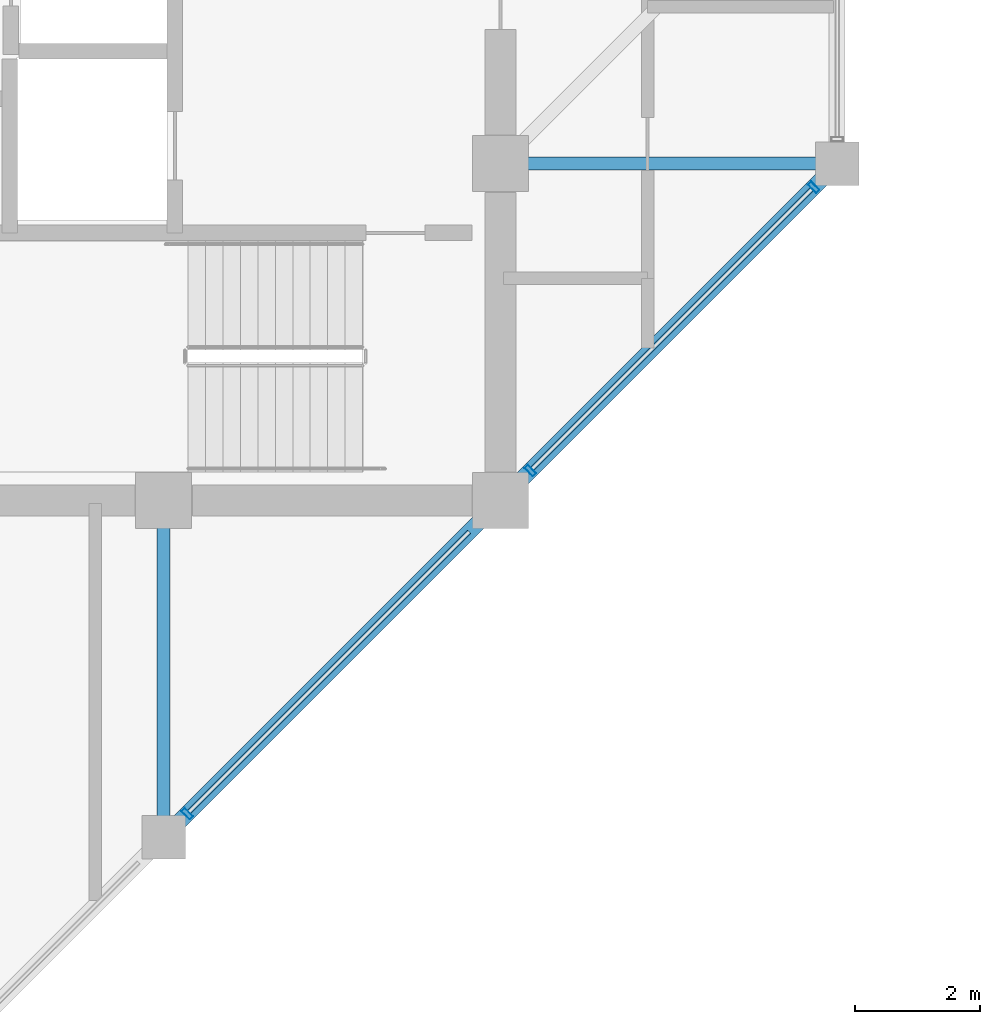
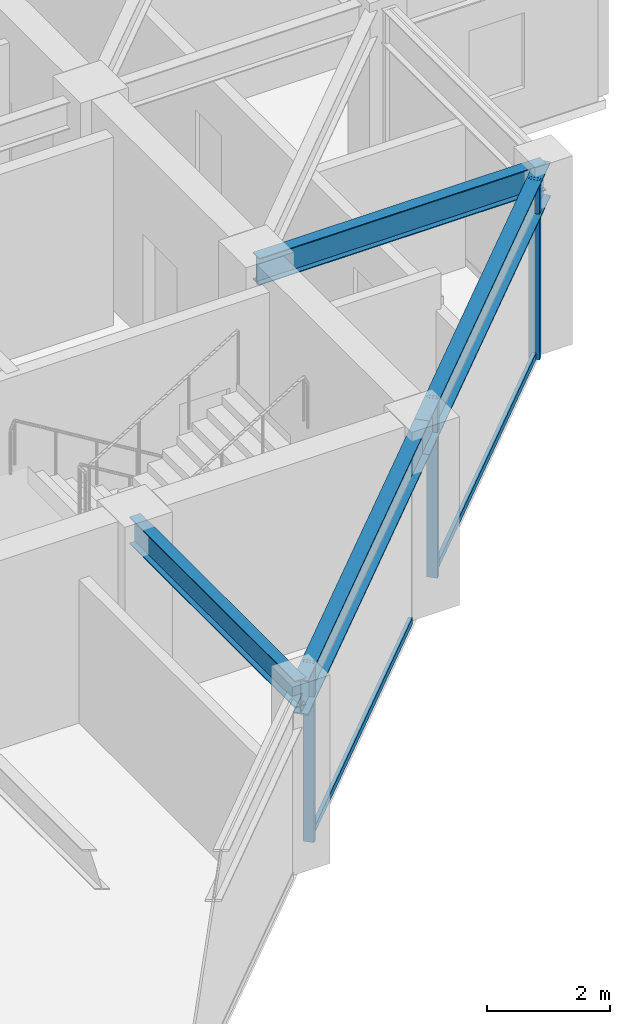
# One storey, part 10 of 30: 5 members, 4 beams, 1 element without a shape of its own.
"""IFC4 building model written with IfcOpenShell, lengths in metres."""

from ifc_helpers import new_model, si_unit, direction, frame, origin, origin_2d, place, context, subcontext, project, spatial, hollow_rectangle, i_section, extrude, material, layer, layer_set, material_profile, profile_set, type_object, element, aggregate, save


model = new_model("IFC4")

# Units and contexts
model_context = context("Model", 3, precision=1e-05, world=origin(), true_north=direction((0.0, 1.0)))
body_context = subcontext(model_context, "Body", "Model", "MODEL_VIEW")
ifc_project = project(units=[si_unit("LENGTHUNIT", "METRE"), si_unit("AREAUNIT", "SQUARE_METRE"), si_unit("VOLUMEUNIT", "CUBIC_METRE"), si_unit("PLANEANGLEUNIT", "RADIAN"), si_unit("MASSUNIT", "GRAM", prefix="KILO")], contexts=[model_context])

# Site, building, storey
site_placement = place(None, origin())
site = spatial("IfcSite", under=ifc_project, at=site_placement, CompositionType="ELEMENT")
building_placement = place(site_placement, origin())
building = spatial("IfcBuilding", under=site, at=building_placement, Name="Surkhivell Harbour Commons", CompositionType="ELEMENT")
storey_placement = place(building_placement, frame((0.0, 0.0, 307.5)))
storey = spatial("IfcBuildingStorey", under=building, at=storey_placement, Name="L80", CompositionType="ELEMENT", Elevation=307.5)

# Beams
ifc_material_1 = material(Name="Steel S355", Category="steel")
ifc_material_profile_1 = material_profile(ifc_material_1, i_section(OverallWidth=0.2099609375, OverallDepth=0.537109375, WebThickness=0.0107421875, FlangeThickness=0.017333984375, at=origin_2d()), Name="UB533x210x101")
ifc_profile_set_1 = profile_set([ifc_material_profile_1], Name="Steel S355")
beam_type_1 = type_object("IfcBeamType", Name="BM-GRD-533B", PredefinedType="BEAM", material=ifc_profile_set_1)
for number, where, z_axis, x_axis, name in (
    (1, (5.39990234375, -16.199951171875, 3.301513671875), (0.0, 1.0, 0.0), (-1.0, 0.0, 0.0), "L80 Floor Girder (5.4,-16.2)"),
    (2, (10.800048828125, -5.39990234375, 3.301513671875), (1.0, 0.0, 0.0), (0.0, 1.0, 0.0), "L80 Floor Girder (10.8,-5.4)"),
):
    element("IfcBeam", number, at=place(storey_placement, frame(where, z_axis=z_axis, x_axis=x_axis)), inside=storey, type_object=beam_type_1, Name=name, PredefinedType="BEAM", context=body_context, shape_type="SweptSolid", body=[
        extrude(i_section(OverallWidth=0.2099609375, OverallDepth=0.537109375, WebThickness=0.0107421875, FlangeThickness=0.017333984375, at=origin_2d()), origin(), (0.0, 0.0, 1.0), 5.39990234375),
    ])
ifc_material_profile_2 = material_profile(ifc_material_1, i_section(OverallWidth=0.256103515625, OverallDepth=0.693115234375, WebThickness=0.014404296875, FlangeThickness=0.023681640625, at=origin_2d()), Name="UB686x254x170")
ifc_profile_set_2 = profile_set([ifc_material_profile_2], Name="Steel S355")
beam_type_2 = type_object("IfcBeamType", Name="BM-SPN-686", PredefinedType="SPANDREL", material=ifc_profile_set_2)
for number, where, z_axis, x_axis, name in (
    (3, (5.39990234375, -16.199951171875, 3.223388671875), (0.707122765516, 0.707090796496, 0.0), (-0.707090796496, 0.707122765516, 0.0), "L80 Tube Spandrel (5.4,-16.2)"),
    (4, (10.800048828125, -10.800048828125, 3.223388671875), (0.707090796496, 0.707122765516, 0.0), (-0.707122765516, 0.707090796496, 0.0), "L80 Tube Spandrel (10.8,-10.8)"),
):
    element("IfcBeam", number, at=place(storey_placement, frame(where, z_axis=z_axis, x_axis=x_axis)), inside=storey, type_object=beam_type_2, Name=name, PredefinedType="SPANDREL", context=body_context, shape_type="SweptSolid", body=[
        extrude(i_section(OverallWidth=0.256103515625, OverallDepth=0.693115234375, WebThickness=0.014404296875, FlangeThickness=0.023681640625, at=origin_2d()), origin(), (0.0, 0.0, 1.0), 7.63671875),
    ])

# Curtain wall, members
ifc_material_2 = material(Name="Anodised pale-metal aluminium and insulated glazing", Category="aluminium")
ifc_layer = layer(ifc_material_2, 0.175048828125)
ifc_layer_set = layer_set([ifc_layer], Name="Anodised pale-metal aluminium and insulated glazing")
curtain_wall_type = type_object("IfcCurtainWallType", Name="CW-SYS-Z4", PredefinedType="NOTDEFINED", material=ifc_layer_set)
curtain_wall_placement = place(storey_placement, origin())
curtain_wall = element("IfcCurtainWall", 5, at=curtain_wall_placement, inside=storey, type_object=curtain_wall_type, Name="L80 Curtain Wall CW-L80-E01", PredefinedType="NOTDEFINED")
ifc_material_3 = material(Name="Anodised pale-metal aluminium alloy 6063-T6", Category="aluminium")
ifc_material_profile_3 = material_profile(ifc_material_3, hollow_rectangle(XDim=0.074951171875, YDim=0.18994140625, WallThickness=0.00390625, at=origin_2d()), Name="ALU-MULL-75x190")
ifc_profile_set_3 = profile_set([ifc_material_profile_3], Name="Anodised pale-metal aluminium alloy 6063-T6")
member_type_1 = type_object("IfcMemberType", Name="CWM-190", PredefinedType="MULLION", material=ifc_profile_set_3)
member_1_placement = place(storey_placement, frame((5.778076171875, -15.82177734375, 0.0), z_axis=(0.0, 0.0, 1.0), x_axis=(0.707106781187, 0.707106781187, 0.0)))
member_1 = element("IfcMember", 6, at=member_1_placement, type_object=member_type_1, Name="CW-Z4 mullion 2", PredefinedType="MULLION", context=body_context, shape_type="SweptSolid", body=[
    extrude(hollow_rectangle(XDim=0.074951171875, YDim=0.18994140625, WallThickness=0.00390625, at=origin_2d()), origin(), (0.0, 0.0, 1.0), 3.570068359375),
])
member_2_placement = place(storey_placement, frame((11.278076171875, -10.32177734375, 0.0), z_axis=(0.0, 0.0, 1.0), x_axis=(0.707106781187, 0.707106781187, 0.0)))
member_2 = element("IfcMember", 7, at=member_2_placement, type_object=member_type_1, Name="CW-Z4 mullion 3", PredefinedType="MULLION", context=body_context, shape_type="SweptSolid", body=[
    extrude(hollow_rectangle(XDim=0.074951171875, YDim=0.18994140625, WallThickness=0.00390625, at=origin_2d()), origin(), (0.0, 0.0, 1.0), 3.570068359375),
])
member_3_placement = place(storey_placement, frame((15.82177734375, -5.778076171875, 0.0), z_axis=(0.0, 0.0, 1.0), x_axis=(0.707106781187, 0.707106781187, 0.0)))
member_3 = element("IfcMember", 8, at=member_3_placement, type_object=member_type_1, Name="CW-Z4 mullion 4", PredefinedType="MULLION", context=body_context, shape_type="SweptSolid", body=[
    extrude(hollow_rectangle(XDim=0.074951171875, YDim=0.18994140625, WallThickness=0.00390625, at=origin_2d()), origin(), (0.0, 0.0, 1.0), 3.570068359375),
])
ifc_material_4 = material(Name="Champagne anodised aluminium alloy 6063-T6", Category="aluminium")
ifc_material_profile_4 = material_profile(ifc_material_4, hollow_rectangle(XDim=0.070068359375, YDim=0.1298828125, WallThickness=0.00341796875, at=origin_2d()), Name="ALU-TRAN-70x130")
ifc_profile_set_4 = profile_set([ifc_material_profile_4], Name="Champagne anodised aluminium alloy 6063-T6")
member_type_2 = type_object("IfcMemberType", Name="CWT-130", PredefinedType="USERDEFINED", material=ifc_profile_set_4)
member_4_placement = place(storey_placement, frame((5.8046875, -15.79541015625, 0.06494140625), z_axis=(0.707106781187, 0.707106781187, 0.0), x_axis=(-0.707106781187, 0.707106781187, 0.0)))
member_4 = element("IfcMember", 9, at=member_4_placement, type_object=member_type_2, Name="CW-Z4 transom 2.1", ObjectType="TRANSOM", PredefinedType="USERDEFINED", context=body_context, shape_type="SweptSolid", body=[
    extrude(hollow_rectangle(XDim=0.070068359375, YDim=0.1298828125, WallThickness=0.00341796875, at=origin_2d()), origin(), (0.0, 0.0, 1.0), 6.350830078125),
])
member_5_placement = place(storey_placement, frame((11.3046875, -10.29541015625, 0.06494140625), z_axis=(0.707106781187, 0.707106781187, 0.0), x_axis=(-0.707106781187, 0.707106781187, 0.0)))
member_5 = element("IfcMember", 10, at=member_5_placement, type_object=member_type_2, Name="CW-Z4 transom 3.1", ObjectType="TRANSOM", PredefinedType="USERDEFINED", context=body_context, shape_type="SweptSolid", body=[
    extrude(hollow_rectangle(XDim=0.070068359375, YDim=0.1298828125, WallThickness=0.00341796875, at=origin_2d()), origin(), (0.0, 0.0, 1.0), 6.350830078125),
])
aggregate(curtain_wall, [member_1, member_4, member_2, member_3, member_5])

save(model, "model.ifc")
